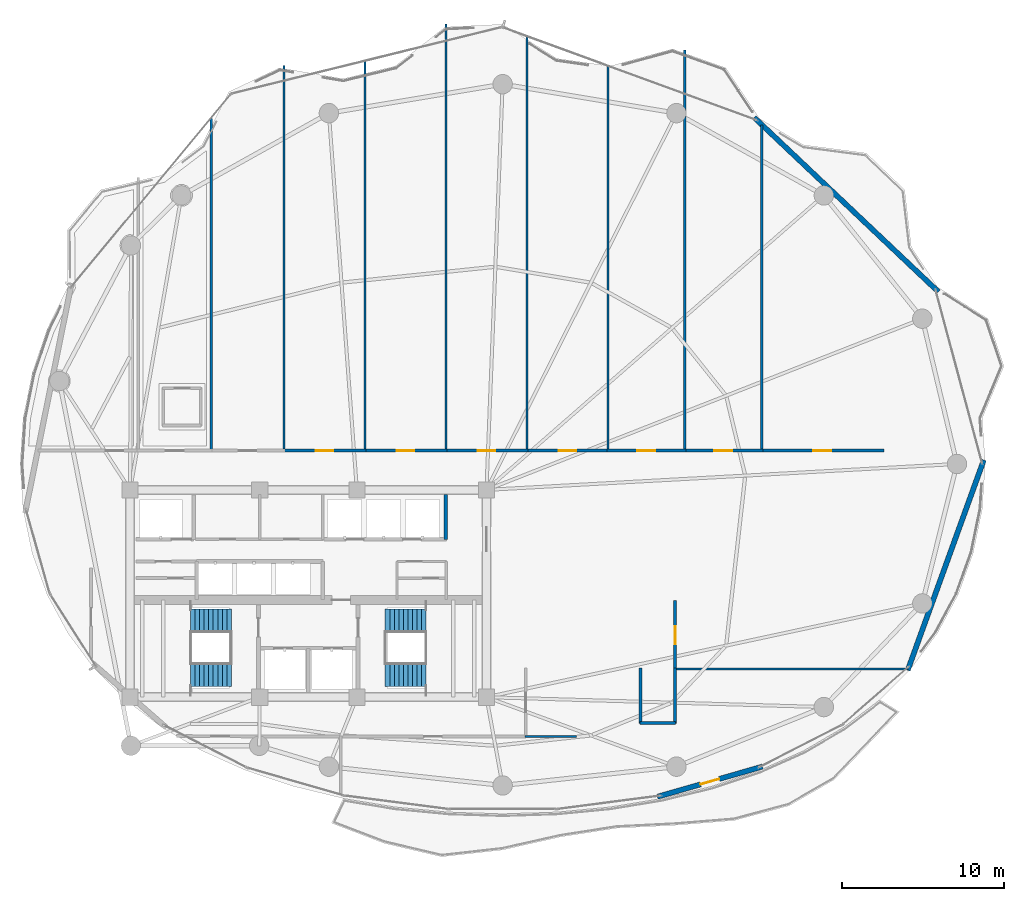
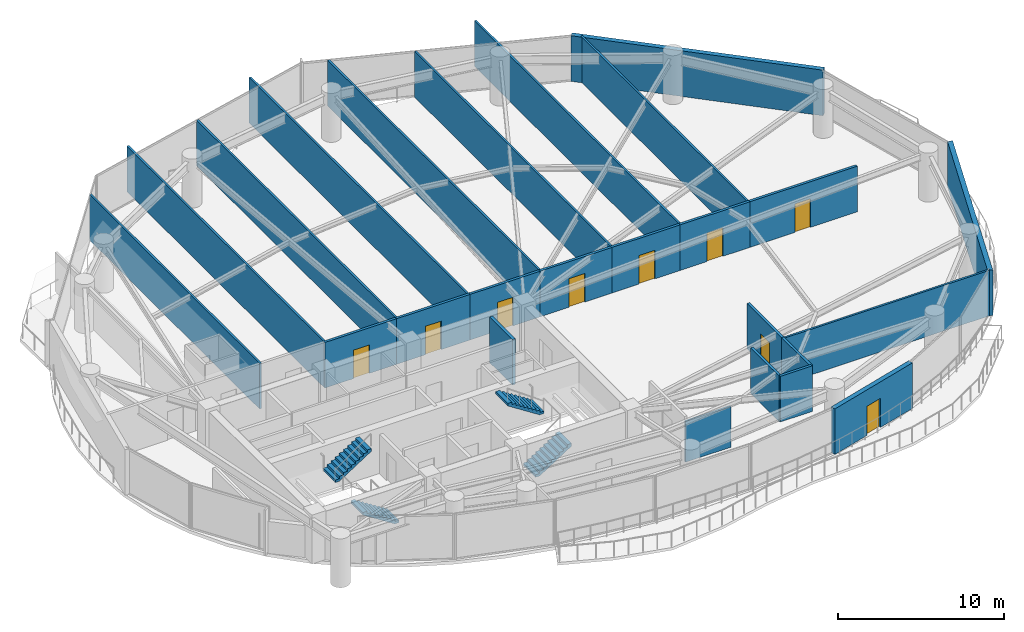
# One storey, part 24 of 28: 25 walls, 9 doors, 4 stair flights, 9 openings, 2 elements without a shape of their own.
"""IFC4 building model written with IfcOpenShell, lengths in metres."""

from ifc_helpers import new_model, si_unit, direction, frame, frame_2d, origin, place, context, subcontext, project, spatial, polyline, rectangle, outline, extrude, material, layer, layer_set, type_object, element, fill, aggregate, save


model = new_model("IFC4")

# Units and contexts
model_context = context("Model", 3, precision=1e-05, world=origin(), true_north=direction((0.0, 1.0)))
body_context = subcontext(model_context, "Body", "Model", "MODEL_VIEW")
ifc_project = project(units=[si_unit("LENGTHUNIT", "METRE"), si_unit("AREAUNIT", "SQUARE_METRE"), si_unit("VOLUMEUNIT", "CUBIC_METRE"), si_unit("PLANEANGLEUNIT", "RADIAN"), si_unit("MASSUNIT", "GRAM", prefix="KILO")], contexts=[model_context])

# Site, building, storey
site_placement = place(None, origin())
site = spatial("IfcSite", under=ifc_project, at=site_placement, CompositionType="ELEMENT")
building_placement = place(site_placement, origin())
building = spatial("IfcBuilding", under=site, at=building_placement, Name="Kazevale Care Tower and Concert Hall", CompositionType="ELEMENT")
storey_placement = place(building_placement, frame((0.0, 0.0, 135.0)))
storey = spatial("IfcBuildingStorey", under=building, at=storey_placement, Name="L35", CompositionType="ELEMENT", Elevation=135.0)

# Walls
ifc_material_1 = material(Name="Acoustic Gypsum on Steel Stud", Category="steel")
ifc_layer_1 = layer(ifc_material_1, 0.139892578125)
ifc_layer_set_1 = layer_set([ifc_layer_1], Name="Acoustic Gypsum on Steel Stud")
wall_type_1 = type_object("IfcWallType", Name="Acoustic Care & Suite Partition 140", PredefinedType="PARTITIONING", material=ifc_layer_set_1)
wall_1_placement = place(storey_placement, frame((27.0, 59.34521484375, 0.0), z_axis=(0.0, 0.0, 1.0), x_axis=(0.0, -1.0, 0.0)))
element("IfcWall", 1, at=wall_1_placement, inside=storey, type_object=wall_type_1, Name="wall:L35:auto_020", PredefinedType="PARTITIONING", context=body_context, shape_type="SweptSolid", body=[
    extrude(rectangle(XDim=20.55029296875, YDim=0.139892578125, at=frame_2d((10.275146484375, 0.0))), origin(), (0.0, 0.0, 1.0), 3.360107421875),
])
wall_2_placement = place(storey_placement, frame((31.5, 62.611083984375, 0.0), z_axis=(0.0, 0.0, 1.0), x_axis=(0.0, -1.0, 0.0)))
element("IfcWall", 2, at=wall_2_placement, inside=storey, type_object=wall_type_1, Name="wall:L35:auto_021", PredefinedType="PARTITIONING", context=body_context, shape_type="SweptSolid", body=[
    extrude(rectangle(XDim=23.816162109375, YDim=0.139892578125, at=frame_2d((11.908203125, 0.0))), origin(), (0.0, 0.0, 1.0), 3.360107421875),
])
wall_3_placement = place(storey_placement, frame((36.5, 62.8759765625, 0.0), z_axis=(0.0, 0.0, 1.0), x_axis=(0.0, -1.0, 0.0)))
element("IfcWall", 3, at=wall_3_placement, inside=storey, type_object=wall_type_1, Name="wall:L35:auto_022", PredefinedType="PARTITIONING", context=body_context, shape_type="SweptSolid", body=[
    extrude(rectangle(XDim=24.0810546875, YDim=0.139892578125, at=frame_2d((12.04052734375, 0.0))), origin(), (0.0, 0.0, 1.0), 3.360107421875),
])
wall_4_placement = place(storey_placement, frame((41.5, 65.174072265625, 0.0), z_axis=(0.0, 0.0, 1.0), x_axis=(0.0, -1.0, 0.0)))
element("IfcWall", 4, at=wall_4_placement, inside=storey, type_object=wall_type_1, Name="wall:L35:auto_023", PredefinedType="PARTITIONING", context=body_context, shape_type="SweptSolid", body=[
    extrude(rectangle(XDim=26.379150390625, YDim=0.139892578125, at=frame_2d((13.189453125, 0.0))), origin(), (0.0, 0.0, 1.0), 3.360107421875),
])
wall_5_placement = place(storey_placement, frame((46.5, 64.368896484375, 0.0), z_axis=(0.0, 0.0, 1.0), x_axis=(0.0, -1.0, 0.0)))
element("IfcWall", 5, at=wall_5_placement, inside=storey, type_object=wall_type_1, Name="wall:L35:auto_024", PredefinedType="PARTITIONING", context=body_context, shape_type="SweptSolid", body=[
    extrude(rectangle(XDim=25.573974609375, YDim=0.139892578125, at=frame_2d((12.787109375, 0.0))), origin(), (0.0, 0.0, 1.0), 3.360107421875),
])
wall_6_placement = place(storey_placement, frame((51.5, 62.56494140625, 0.0), z_axis=(0.0, 0.0, 1.0), x_axis=(0.0, -1.0, 0.0)))
element("IfcWall", 6, at=wall_6_placement, inside=storey, type_object=wall_type_1, Name="wall:L35:auto_025", PredefinedType="PARTITIONING", context=body_context, shape_type="SweptSolid", body=[
    extrude(rectangle(XDim=23.77001953125, YDim=0.139892578125, at=frame_2d((11.885009765625, 0.0))), origin(), (0.0, 0.0, 1.0), 3.360107421875),
])
wall_7_placement = place(storey_placement, frame((56.25, 63.544921875, 0.0), z_axis=(0.0, 0.0, 1.0), x_axis=(0.0, -1.0, 0.0)))
element("IfcWall", 7, at=wall_7_placement, inside=storey, type_object=wall_type_1, Name="wall:L35:auto_026", PredefinedType="PARTITIONING", context=body_context, shape_type="SweptSolid", body=[
    extrude(rectangle(XDim=24.75, YDim=0.139892578125, at=frame_2d((12.375, 0.0))), origin(), (0.0, 0.0, 1.0), 3.360107421875),
])
wall_8_placement = place(storey_placement, frame((61.0, 58.935791015625, 0.0), z_axis=(0.0, 0.0, 1.0), x_axis=(0.0, -1.0, 0.0)))
element("IfcWall", 8, at=wall_8_placement, inside=storey, type_object=wall_type_1, Name="wall:L35:auto_027", PredefinedType="PARTITIONING", context=body_context, shape_type="SweptSolid", body=[
    extrude(rectangle(XDim=20.140869140625, YDim=0.139892578125, at=frame_2d((10.0703125, 0.0))), origin(), (0.0, 0.0, 1.0), 3.360107421875),
])
wall_9_placement = place(storey_placement, frame((55.6201171875, 25.340087890625, 0.0), z_axis=(0.0, 0.0, 1.0), x_axis=(1.0, 0.0, 0.0)))
element("IfcWall", 9, at=wall_9_placement, inside=storey, type_object=wall_type_1, Name="wall:L35:auto_028", PredefinedType="PARTITIONING", context=body_context, shape_type="SweptSolid", body=[
    extrude(rectangle(XDim=14.407470703125, YDim=0.139892578125, at=frame_2d((7.20361328125, 0.0))), origin(), (0.0, 0.0, 1.0), 3.360107421875),
])
wall_10_placement = place(storey_placement, frame((49.56494140625, 21.175048828125, 0.0), z_axis=(0.0, 0.0, 1.0), x_axis=(-1.0, 0.0, 0.0)))
element("IfcWall", 10, at=wall_10_placement, inside=storey, type_object=wall_type_1, Name="wall:L35:auto_029", PredefinedType="PARTITIONING", context=body_context, shape_type="SweptSolid", body=[
    extrude(rectangle(XDim=3.169921875, YDim=0.139892578125, at=frame_2d((1.5849609375, 0.0))), origin(), (0.0, 0.0, 1.0), 2.99609375),
])
ifc_material_2 = material(Name="Concrete C40", Category="concrete")
ifc_layer_2 = layer(ifc_material_2, 0.219970703125)
ifc_layer_set_2 = layer_set([ifc_layer_2], Name="Concrete C40")
wall_type_2 = type_object("IfcWallType", Name="Elevator Hoistway Shaft Wall 220", PredefinedType="SOLIDWALL", material=ifc_layer_set_2)
wall_11_placement = place(storey_placement, frame((41.5, 33.35009765625, 0.0), z_axis=(0.0, 0.0, 1.0), x_axis=(0.0, 1.0, 0.0)))
element("IfcWall", 11, at=wall_11_placement, inside=storey, type_object=wall_type_2, Name="wall:L35:c_pm_e", PredefinedType="SOLIDWALL", context=body_context, shape_type="SweptSolid", body=[
    extrude(rectangle(XDim=2.75, YDim=0.219970703125, at=frame_2d((1.375, 0.0))), origin(), (0.0, 0.0, 1.0), 3.360107421875),
])

# Wall, opening, door
ifc_material_3 = material(Name="Concrete C40 and Acoustic Gypsum", Category="concrete")
ifc_layer_3 = layer(ifc_material_3, 0.179931640625)
ifc_layer_set_3 = layer_set([ifc_layer_3], Name="Concrete C40 and Acoustic Gypsum")
wall_type_3 = type_object("IfcWallType", Name="Fire-Rated Corridor & Party Wall 180", PredefinedType="PARTITIONING", material=ifc_layer_set_3)
wall_12_placement = place(storey_placement, frame((31.43505859375, 38.824951171875, 0.0), z_axis=(0.0, 0.0, 1.0), x_axis=(1.0, 0.0, 0.0)))
wall_12 = element("IfcWall", 12, at=wall_12_placement, inside=storey, type_object=wall_type_3, Name="wall:L35:auto_004", PredefinedType="PARTITIONING", context=body_context, shape_type="SweptSolid", body=[
    extrude(rectangle(XDim=5.1298828125, YDim=0.179931640625, at=frame_2d((2.56494140625, 0.0))), origin(), (0.0, 0.0, 1.0), 3.360107421875),
])
opening_1_placement = place(wall_12_placement, frame((2.014892578125, 0.0, 0.0)))
opening_1 = element("IfcOpeningElement", 13, at=opening_1_placement, cuts=wall_12, Name="Opening ID-1100", PredefinedType="OPENING", context=body_context, shape_type="SweptSolid", body=[
    extrude(rectangle(XDim=1.10009765625, YDim=2.10009765625, at=frame_2d((0.550048828125, 1.050048828125))), frame((0.0, 0.099853515625, 0.0), z_axis=(0.0, -1.0, 0.0), x_axis=(1.0, 0.0, 0.0)), (0.0, 0.0, 1.0), 0.199951171875),
])
ifc_material_4 = material(Name="Oak Timber Fire Leaf", Category="wood")
door_type_1 = type_object("IfcDoorType", Name="Care Bedroom Accessible Door 1100x2100", OperationType="NOTDEFINED", PredefinedType="DOOR", material=ifc_material_4)
door_1_placement = place(opening_1_placement, origin())
door_1 = element("IfcDoor", 14, at=door_1_placement, inside=storey, type_object=door_type_1, Name="door:L35:ad_004", OperationType="SINGLE_SWING_LEFT", OverallHeight=2.10009765625, OverallWidth=1.10009765625, PredefinedType="DOOR", context=body_context, shape_type="SweptSolid", body=[
    extrude(rectangle(XDim=1.10009765625, YDim=2.10009765625, at=frame_2d((0.550048828125, 1.050048828125))), frame((0.0, 0.02490234375, 0.0), z_axis=(0.0, -1.0, 0.0), x_axis=(1.0, 0.0, 0.0)), (0.0, 0.0, 1.0), 0.050048828125),
])
fill(opening_1, door_1)

wall_13_placement = place(storey_placement, frame((36.43505859375, 38.824951171875, 0.0), z_axis=(0.0, 0.0, 1.0), x_axis=(1.0, 0.0, 0.0)))
wall_13 = element("IfcWall", 15, at=wall_13_placement, inside=storey, type_object=wall_type_3, Name="wall:L35:auto_005", PredefinedType="PARTITIONING", context=body_context, shape_type="SweptSolid", body=[
    extrude(rectangle(XDim=5.1298828125, YDim=0.179931640625, at=frame_2d((2.56494140625, 0.0))), origin(), (0.0, 0.0, 1.0), 3.360107421875),
])
opening_2_placement = place(wall_13_placement, frame((2.014892578125, 0.0, 0.0)))
opening_2 = element("IfcOpeningElement", 16, at=opening_2_placement, cuts=wall_13, Name="Opening ID-1100", PredefinedType="OPENING", context=body_context, shape_type="SweptSolid", body=[
    extrude(rectangle(XDim=1.10009765625, YDim=2.10009765625, at=frame_2d((0.550048828125, 1.050048828125))), frame((0.0, 0.099853515625, 0.0), z_axis=(0.0, -1.0, 0.0), x_axis=(1.0, 0.0, 0.0)), (0.0, 0.0, 1.0), 0.199951171875),
])
door_2_placement = place(opening_2_placement, origin())
door_2 = element("IfcDoor", 17, at=door_2_placement, inside=storey, type_object=door_type_1, Name="door:L35:ad_005", OperationType="SINGLE_SWING_LEFT", OverallHeight=2.10009765625, OverallWidth=1.10009765625, PredefinedType="DOOR", context=body_context, shape_type="SweptSolid", body=[
    extrude(rectangle(XDim=1.10009765625, YDim=2.10009765625, at=frame_2d((0.550048828125, 1.050048828125))), frame((0.0, 0.02490234375, 0.0), z_axis=(0.0, -1.0, 0.0), x_axis=(1.0, 0.0, 0.0)), (0.0, 0.0, 1.0), 0.050048828125),
])
fill(opening_2, door_2)

wall_14_placement = place(storey_placement, frame((41.43505859375, 38.824951171875, 0.0), z_axis=(0.0, 0.0, 1.0), x_axis=(1.0, 0.0, 0.0)))
wall_14 = element("IfcWall", 18, at=wall_14_placement, inside=storey, type_object=wall_type_3, Name="wall:L35:auto_006", PredefinedType="PARTITIONING", context=body_context, shape_type="SweptSolid", body=[
    extrude(rectangle(XDim=5.1298828125, YDim=0.179931640625, at=frame_2d((2.56494140625, 0.0))), origin(), (0.0, 0.0, 1.0), 3.360107421875),
])
opening_3_placement = place(wall_14_placement, frame((2.014892578125, 0.0, 0.0)))
opening_3 = element("IfcOpeningElement", 19, at=opening_3_placement, cuts=wall_14, Name="Opening ID-1100", PredefinedType="OPENING", context=body_context, shape_type="SweptSolid", body=[
    extrude(rectangle(XDim=1.10009765625, YDim=2.10009765625, at=frame_2d((0.550048828125, 1.050048828125))), frame((0.0, 0.099853515625, 0.0), z_axis=(0.0, -1.0, 0.0), x_axis=(1.0, 0.0, 0.0)), (0.0, 0.0, 1.0), 0.199951171875),
])
door_3_placement = place(opening_3_placement, origin())
door_3 = element("IfcDoor", 20, at=door_3_placement, inside=storey, type_object=door_type_1, Name="door:L35:ad_006", OperationType="SINGLE_SWING_LEFT", OverallHeight=2.10009765625, OverallWidth=1.10009765625, PredefinedType="DOOR", context=body_context, shape_type="SweptSolid", body=[
    extrude(rectangle(XDim=1.10009765625, YDim=2.10009765625, at=frame_2d((0.550048828125, 1.050048828125))), frame((0.0, 0.02490234375, 0.0), z_axis=(0.0, -1.0, 0.0), x_axis=(1.0, 0.0, 0.0)), (0.0, 0.0, 1.0), 0.050048828125),
])
fill(opening_3, door_3)

wall_15_placement = place(storey_placement, frame((46.43505859375, 38.824951171875, 0.0), z_axis=(0.0, 0.0, 1.0), x_axis=(1.0, 0.0, 0.0)))
wall_15 = element("IfcWall", 21, at=wall_15_placement, inside=storey, type_object=wall_type_3, Name="wall:L35:auto_007", PredefinedType="PARTITIONING", context=body_context, shape_type="SweptSolid", body=[
    extrude(rectangle(XDim=5.1298828125, YDim=0.179931640625, at=frame_2d((2.56494140625, 0.0))), origin(), (0.0, 0.0, 1.0), 3.360107421875),
])
opening_4_placement = place(wall_15_placement, frame((2.014892578125, 0.0, 0.0)))
opening_4 = element("IfcOpeningElement", 22, at=opening_4_placement, cuts=wall_15, Name="Opening ID-1100", PredefinedType="OPENING", context=body_context, shape_type="SweptSolid", body=[
    extrude(rectangle(XDim=1.10009765625, YDim=2.10009765625, at=frame_2d((0.550048828125, 1.050048828125))), frame((0.0, 0.099853515625, 0.0), z_axis=(0.0, -1.0, 0.0), x_axis=(1.0, 0.0, 0.0)), (0.0, 0.0, 1.0), 0.199951171875),
])
door_4_placement = place(opening_4_placement, origin())
door_4 = element("IfcDoor", 23, at=door_4_placement, inside=storey, type_object=door_type_1, Name="door:L35:ad_007", OperationType="SINGLE_SWING_LEFT", OverallHeight=2.10009765625, OverallWidth=1.10009765625, PredefinedType="DOOR", context=body_context, shape_type="SweptSolid", body=[
    extrude(rectangle(XDim=1.10009765625, YDim=2.10009765625, at=frame_2d((0.550048828125, 1.050048828125))), frame((0.0, 0.02490234375, 0.0), z_axis=(0.0, -1.0, 0.0), x_axis=(1.0, 0.0, 0.0)), (0.0, 0.0, 1.0), 0.050048828125),
])
fill(opening_4, door_4)

wall_16_placement = place(storey_placement, frame((51.43505859375, 38.824951171875, 0.0), z_axis=(0.0, 0.0, 1.0), x_axis=(1.0, 0.0, 0.0)))
wall_16 = element("IfcWall", 24, at=wall_16_placement, inside=storey, type_object=wall_type_3, Name="wall:L35:auto_008", PredefinedType="PARTITIONING", context=body_context, shape_type="SweptSolid", body=[
    extrude(rectangle(XDim=4.8798828125, YDim=0.179931640625, at=frame_2d((2.43994140625, 0.0))), origin(), (0.0, 0.0, 1.0), 3.360107421875),
])
opening_5_placement = place(wall_16_placement, frame((1.889892578125, 0.0, 0.0)))
opening_5 = element("IfcOpeningElement", 25, at=opening_5_placement, cuts=wall_16, Name="Opening ID-1100", PredefinedType="OPENING", context=body_context, shape_type="SweptSolid", body=[
    extrude(rectangle(XDim=1.10009765625, YDim=2.10009765625, at=frame_2d((0.550048828125, 1.050048828125))), frame((0.0, 0.099853515625, 0.0), z_axis=(0.0, -1.0, 0.0), x_axis=(1.0, 0.0, 0.0)), (0.0, 0.0, 1.0), 0.199951171875),
])
door_5_placement = place(opening_5_placement, origin())
door_5 = element("IfcDoor", 26, at=door_5_placement, inside=storey, type_object=door_type_1, Name="door:L35:ad_008", OperationType="SINGLE_SWING_LEFT", OverallHeight=2.10009765625, OverallWidth=1.10009765625, PredefinedType="DOOR", context=body_context, shape_type="SweptSolid", body=[
    extrude(rectangle(XDim=1.10009765625, YDim=2.10009765625, at=frame_2d((0.550048828125, 1.050048828125))), frame((0.0, 0.02490234375, 0.0), z_axis=(0.0, -1.0, 0.0), x_axis=(1.0, 0.0, 0.0)), (0.0, 0.0, 1.0), 0.050048828125),
])
fill(opening_5, door_5)

wall_17_placement = place(storey_placement, frame((56.18505859375, 38.824951171875, 0.0), z_axis=(0.0, 0.0, 1.0), x_axis=(1.0, 0.0, 0.0)))
wall_17 = element("IfcWall", 27, at=wall_17_placement, inside=storey, type_object=wall_type_3, Name="wall:L35:auto_009", PredefinedType="PARTITIONING", context=body_context, shape_type="SweptSolid", body=[
    extrude(rectangle(XDim=4.8798828125, YDim=0.179931640625, at=frame_2d((2.43994140625, 0.0))), origin(), (0.0, 0.0, 1.0), 3.360107421875),
])
opening_6_placement = place(wall_17_placement, frame((1.889892578125, 0.0, 0.0)))
opening_6 = element("IfcOpeningElement", 28, at=opening_6_placement, cuts=wall_17, Name="Opening ID-1100", PredefinedType="OPENING", context=body_context, shape_type="SweptSolid", body=[
    extrude(rectangle(XDim=1.10009765625, YDim=2.10009765625, at=frame_2d((0.550048828125, 1.050048828125))), frame((0.0, 0.099853515625, 0.0), z_axis=(0.0, -1.0, 0.0), x_axis=(1.0, 0.0, 0.0)), (0.0, 0.0, 1.0), 0.199951171875),
])
door_6_placement = place(opening_6_placement, origin())
door_6 = element("IfcDoor", 29, at=door_6_placement, inside=storey, type_object=door_type_1, Name="door:L35:ad_009", OperationType="SINGLE_SWING_LEFT", OverallHeight=2.10009765625, OverallWidth=1.10009765625, PredefinedType="DOOR", context=body_context, shape_type="SweptSolid", body=[
    extrude(rectangle(XDim=1.10009765625, YDim=2.10009765625, at=frame_2d((0.550048828125, 1.050048828125))), frame((0.0, 0.02490234375, 0.0), z_axis=(0.0, -1.0, 0.0), x_axis=(1.0, 0.0, 0.0)), (0.0, 0.0, 1.0), 0.050048828125),
])
fill(opening_6, door_6)

wall_18_placement = place(storey_placement, frame((60.93505859375, 38.824951171875, 0.0), z_axis=(0.0, 0.0, 1.0), x_axis=(1.0, 0.0, 0.0)))
wall_18 = element("IfcWall", 30, at=wall_18_placement, inside=storey, type_object=wall_type_3, Name="wall:L35:auto_010", PredefinedType="PARTITIONING", context=body_context, shape_type="SweptSolid", body=[
    extrude(rectangle(XDim=7.594970703125, YDim=0.179931640625, at=frame_2d((3.79736328125, 0.0))), origin(), (0.0, 0.0, 1.0), 3.360107421875),
])
opening_7_placement = place(wall_18_placement, frame((3.2470703125, 0.0, 0.0)))
opening_7 = element("IfcOpeningElement", 31, at=opening_7_placement, cuts=wall_18, Name="Opening ID-1100", PredefinedType="OPENING", context=body_context, shape_type="SweptSolid", body=[
    extrude(rectangle(XDim=1.10009765625, YDim=2.10009765625, at=frame_2d((0.550048828125, 1.050048828125))), frame((0.0, 0.099853515625, 0.0), z_axis=(0.0, -1.0, 0.0), x_axis=(1.0, 0.0, 0.0)), (0.0, 0.0, 1.0), 0.199951171875),
])
door_7_placement = place(opening_7_placement, origin())
door_7 = element("IfcDoor", 32, at=door_7_placement, inside=storey, type_object=door_type_1, Name="door:L35:ad_010", OperationType="SINGLE_SWING_LEFT", OverallHeight=2.10009765625, OverallWidth=1.10009765625, PredefinedType="DOOR", context=body_context, shape_type="SweptSolid", body=[
    extrude(rectangle(XDim=1.10009765625, YDim=2.10009765625, at=frame_2d((0.550048828125, 1.050048828125))), frame((0.0, 0.02490234375, 0.0), z_axis=(0.0, -1.0, 0.0), x_axis=(1.0, 0.0, 0.0)), (0.0, 0.0, 1.0), 0.050048828125),
])
fill(opening_7, door_7)

# Walls
for number, where, z_axis, x_axis, name in (
    (33, (55.64990234375, 25.405029296875, 0.0), (0.0, 0.0, 1.0), (0.0, -1.0, 0.0), "wall:L35:auto_012"),
    (34, (53.5, 21.969970703125, 0.0), (0.0, 0.0, 1.0), (0.0, 1.0, 0.0), "wall:L35:auto_013"),
):
    element("IfcWall", number, at=place(storey_placement, frame(where, z_axis=z_axis, x_axis=x_axis)), inside=storey, type_object=wall_type_3, Name=name, PredefinedType="PARTITIONING", context=body_context, shape_type="SweptSolid", body=[
        extrude(rectangle(XDim=3.43505859375, YDim=0.179931640625, at=frame_2d((1.717529296875, 0.0))), origin(), (0.0, 0.0, 1.0), 3.360107421875),
    ])
wall_19_placement = place(storey_placement, frame((55.679931640625, 22.0, 0.0), z_axis=(0.0, 0.0, 1.0), x_axis=(-1.0, 0.0, 0.0)))
element("IfcWall", 35, at=wall_19_placement, inside=storey, type_object=wall_type_3, Name="wall:L35:auto_014", PredefinedType="PARTITIONING", context=body_context, shape_type="SweptSolid", body=[
    extrude(rectangle(XDim=2.2099609375, YDim=0.179931640625, at=frame_2d((1.10498046875, 0.0))), origin(), (0.0, 0.0, 1.0), 3.360107421875),
])

# Wall, opening, door
wall_20_placement = place(storey_placement, frame((55.64990234375, 29.56494140625, 0.0), z_axis=(0.0, 0.0, 1.0), x_axis=(0.0, -1.0, 0.0)))
wall_20 = element("IfcWall", 36, at=wall_20_placement, inside=storey, type_object=wall_type_3, Name="wall:L35:auto_015", PredefinedType="PARTITIONING", context=body_context, shape_type="SweptSolid", body=[
    extrude(rectangle(XDim=4.2900390625, YDim=0.179931640625, at=frame_2d((2.14501953125, 0.0))), origin(), (0.0, 0.0, 1.0), 3.360107421875),
])
opening_8_placement = place(wall_20_placement, frame((1.594970703125, 0.0, 0.0)))
opening_8 = element("IfcOpeningElement", 37, at=opening_8_placement, cuts=wall_20, Name="Opening ID-1100", PredefinedType="OPENING", context=body_context, shape_type="SweptSolid", body=[
    extrude(rectangle(XDim=1.10009765625, YDim=2.10009765625, at=frame_2d((0.550048828125, 1.050048828125))), frame((0.0, 0.099853515625, 0.0), z_axis=(0.0, -1.0, 0.0), x_axis=(1.0, 0.0, 0.0)), (0.0, 0.0, 1.0), 0.199951171875),
])
door_8_placement = place(opening_8_placement, origin())
door_8 = element("IfcDoor", 38, at=door_8_placement, inside=storey, type_object=door_type_1, Name="door:L35:ad_015", OperationType="SINGLE_SWING_LEFT", OverallHeight=2.10009765625, OverallWidth=1.10009765625, PredefinedType="DOOR", context=body_context, shape_type="SweptSolid", body=[
    extrude(rectangle(XDim=1.10009765625, YDim=2.10009765625, at=frame_2d((0.550048828125, 1.050048828125))), frame((0.0, 0.02490234375, 0.0), z_axis=(0.0, -1.0, 0.0), x_axis=(1.0, 0.0, 0.0)), (0.0, 0.0, 1.0), 0.050048828125),
])
fill(opening_8, door_8)

# Wall
ifc_material_5 = material(Name="Concrete C40 with Honed Limestone Cladding", Category="masonry")
ifc_layer_4 = layer(ifc_material_5, 0.320068359375)
ifc_layer_set_4 = layer_set([ifc_layer_4], Name="Concrete C40 with Honed Limestone Cladding")
wall_type_4 = type_object("IfcWallType", Name="Tower Honed Limestone Spandrel Wall 320", PredefinedType="STANDARD", material=ifc_layer_set_4)
wall_21_placement = place(storey_placement, frame((74.7080078125, 38.243896484375, 0.0), z_axis=(0.0, 0.0, 1.0), x_axis=(-0.340324669139, -0.94030799187, 0.0)))
element("IfcWall", 39, at=wall_21_placement, inside=storey, type_object=wall_type_4, Name="wall:cw:L35:f01", PredefinedType="STANDARD", context=body_context, shape_type="SweptSolid", body=[
    extrude(rectangle(XDim=13.810302734375, YDim=0.320068359375, at=frame_2d((6.9052734375, 0.0))), origin(), (0.0, 0.0, 1.0), 3.360107421875),
])

# Wall, opening, door
wall_22_placement = place(storey_placement, frame((61.0390625, 19.31689453125, 0.0), z_axis=(0.0, 0.0, 1.0), x_axis=(-0.96106509915, -0.276322049784, 0.0)))
wall_22 = element("IfcWall", 40, at=wall_22_placement, inside=storey, type_object=wall_type_4, Name="wall:L35:bal_host", PredefinedType="STANDARD", context=body_context, shape_type="SweptSolid", body=[
    extrude(rectangle(XDim=6.745849609375, YDim=0.320068359375, at=frame_2d((3.373046875, 0.0))), origin(), (0.0, 0.0, 1.0), 3.360107421875),
])
opening_9_placement = place(wall_22_placement, frame((2.77294921875, 0.0, 0.0)))
opening_9 = element("IfcOpeningElement", 41, at=opening_9_placement, cuts=wall_22, Name="Opening BD-1200", PredefinedType="OPENING", context=body_context, shape_type="SweptSolid", body=[
    extrude(rectangle(XDim=1.199951171875, YDim=2.14990234375, at=frame_2d((0.60009765625, 1.074951171875))), frame((0.0, 0.169921875, 0.0), z_axis=(0.0, -1.0, 0.0), x_axis=(1.0, 0.0, 0.0)), (0.0, 0.0, 1.0), 0.340087890625),
])
ifc_material_6 = material(Name="Aluminium 6063-T6 and Low-E Glass", Category="aluminium")
door_type_2 = type_object("IfcDoorType", Name="Sheltered Balcony Glazed Door 1200x2150", OperationType="NOTDEFINED", PredefinedType="DOOR", material=ifc_material_6)
door_9_placement = place(opening_9_placement, origin())
door_9 = element("IfcDoor", 42, at=door_9_placement, inside=storey, type_object=door_type_2, Name="door:L35:BD-1", OperationType="SINGLE_SWING_LEFT", OverallHeight=2.14990234375, OverallWidth=1.199951171875, PredefinedType="DOOR", context=body_context, shape_type="SweptSolid", body=[
    extrude(rectangle(XDim=1.199951171875, YDim=2.14990234375, at=frame_2d((0.60009765625, 1.074951171875))), frame((0.0, 0.02490234375, 0.0), z_axis=(0.0, -1.0, 0.0), x_axis=(1.0, 0.0, 0.0)), (0.0, 0.0, 1.0), 0.050048828125),
])
fill(opening_9, door_9)

# Wall
wall_23_placement = place(storey_placement, frame((60.5380859375, 59.383056640625, 0.0), z_axis=(0.0, 0.0, 1.0), x_axis=(0.726378346584, -0.687295058628, 0.0)))
element("IfcWall", 43, at=wall_23_placement, inside=storey, type_object=wall_type_4, Name="wall:cw:L35:f17", PredefinedType="STANDARD", context=body_context, shape_type="SweptSolid", body=[
    extrude(rectangle(XDim=15.654052734375, YDim=0.320068359375, at=frame_2d((7.8271484375, 0.0))), origin(), (0.0, 0.0, 1.0), 3.360107421875),
])

# Stair, stair flights
stair_type = type_object("IfcStairType", Name="Exit Stair Assembly ST1-Z2", PredefinedType="HALF_TURN_STAIR", material=ifc_material_2)
stair_1_placement = place(storey_placement, origin())
stair_1 = element("IfcStair", 44, at=stair_1_placement, inside=storey, type_object=stair_type, Name="stair:L35:ST1", PredefinedType="HALF_TURN_STAIR")
ifc_layer_5 = layer(ifc_material_2, 0.159912109375)
ifc_layer_set_5 = layer_set([ifc_layer_5], Name="Concrete C40")
stair_flight_type = type_object("IfcStairFlightType", Name="Exit Stair Flight ST1-Z2", PredefinedType="STRAIGHT", material=ifc_layer_set_5)
stair_flight_1_placement = place(storey_placement, frame((28.25, 24.97998046875, 0.0), z_axis=(0.0, 0.0, 1.0), x_axis=(-1.0, 0.0, 0.0)))
stair_flight_1 = element("IfcStairFlight", 45, at=stair_flight_1_placement, type_object=stair_flight_type, Name="ST1-Z2 flight 1", NumberOfRisers=10, NumberOfTreads=9, PredefinedType="STRAIGHT", RiserHeight=0.18, TreadLength=0.28, context=body_context, shape_type="SweptSolid", body=[
    extrude(outline(polyline([(0.0, 0.0), (0.0, 0.179931640625), (0.280029296875, 0.179931640625), (0.280029296875, 0.360107421875), (0.56005859375, 0.360107421875), (0.56005859375, 0.5400390625), (0.840087890625, 0.5400390625), (0.840087890625, 0.719970703125), (1.1201171875, 0.719970703125), (1.1201171875, 0.89990234375), (1.39990234375, 0.89990234375), (1.39990234375, 1.080078125), (1.679931640625, 1.080078125), (1.679931640625, 1.260009765625), (1.9599609375, 1.260009765625), (1.9599609375, 1.43994140625), (2.239990234375, 1.43994140625), (2.239990234375, 1.6201171875), (2.52001953125, 1.6201171875), (2.52001953125, 1.800048828125), (2.52001953125, 1.429931640625), (0.295654296875, 0.0), (0.0, 0.0)])), frame((0.0, 0.72998046875, 0.0), z_axis=(0.0, -1.0, 0.0), x_axis=(1.0, 0.0, 0.0)), (0.0, 0.0, 1.0), 1.4599609375),
])
stair_flight_2_placement = place(storey_placement, frame((25.72998046875, 28.320068359375, 1.800048828125), z_axis=(0.0, 0.0, 1.0), x_axis=(1.0, 0.0, 0.0)))
stair_flight_2 = element("IfcStairFlight", 46, at=stair_flight_2_placement, type_object=stair_flight_type, Name="ST1-Z2 flight 2", NumberOfRisers=10, NumberOfTreads=9, PredefinedType="STRAIGHT", RiserHeight=0.18, TreadLength=0.28, context=body_context, shape_type="SweptSolid", body=[
    extrude(outline(polyline([(0.0, 0.0), (0.0, 0.179931640625), (0.280029296875, 0.179931640625), (0.280029296875, 0.360107421875), (0.56005859375, 0.360107421875), (0.56005859375, 0.5400390625), (0.840087890625, 0.5400390625), (0.840087890625, 0.719970703125), (1.1201171875, 0.719970703125), (1.1201171875, 0.89990234375), (1.39990234375, 0.89990234375), (1.39990234375, 1.080078125), (1.679931640625, 1.080078125), (1.679931640625, 1.260009765625), (1.9599609375, 1.260009765625), (1.9599609375, 1.43994140625), (2.239990234375, 1.43994140625), (2.239990234375, 1.6201171875), (2.52001953125, 1.6201171875), (2.52001953125, 1.800048828125), (2.52001953125, 1.429931640625), (0.295654296875, 0.0), (0.0, 0.0)])), frame((0.0, 0.72998046875, 0.0), z_axis=(0.0, -1.0, 0.0), x_axis=(1.0, 0.0, 0.0)), (0.0, 0.0, 1.0), 1.4599609375),
])
aggregate(stair_1, [stair_flight_1, stair_flight_2])

stair_2_placement = place(storey_placement, origin())
stair_2 = element("IfcStair", 47, at=stair_2_placement, inside=storey, type_object=stair_type, Name="stair:L35:ST2", PredefinedType="HALF_TURN_STAIR")
stair_flight_3_placement = place(storey_placement, frame((37.75, 24.97998046875, 0.0), z_axis=(0.0, 0.0, 1.0), x_axis=(1.0, 0.0, 0.0)))
stair_flight_3 = element("IfcStairFlight", 48, at=stair_flight_3_placement, type_object=stair_flight_type, Name="ST1-Z2 flight 1", NumberOfRisers=10, NumberOfTreads=9, PredefinedType="STRAIGHT", RiserHeight=0.18, TreadLength=0.28, context=body_context, shape_type="SweptSolid", body=[
    extrude(outline(polyline([(0.0, 0.0), (0.0, 0.179931640625), (0.280029296875, 0.179931640625), (0.280029296875, 0.360107421875), (0.56005859375, 0.360107421875), (0.56005859375, 0.5400390625), (0.840087890625, 0.5400390625), (0.840087890625, 0.719970703125), (1.1201171875, 0.719970703125), (1.1201171875, 0.89990234375), (1.39990234375, 0.89990234375), (1.39990234375, 1.080078125), (1.679931640625, 1.080078125), (1.679931640625, 1.260009765625), (1.9599609375, 1.260009765625), (1.9599609375, 1.43994140625), (2.239990234375, 1.43994140625), (2.239990234375, 1.6201171875), (2.52001953125, 1.6201171875), (2.52001953125, 1.800048828125), (2.52001953125, 1.429931640625), (0.295654296875, 0.0), (0.0, 0.0)])), frame((0.0, 0.72998046875, 0.0), z_axis=(0.0, -1.0, 0.0), x_axis=(1.0, 0.0, 0.0)), (0.0, 0.0, 1.0), 1.4599609375),
])
stair_flight_4_placement = place(storey_placement, frame((40.27001953125, 28.320068359375, 1.800048828125), z_axis=(0.0, 0.0, 1.0), x_axis=(-1.0, 0.0, 0.0)))
stair_flight_4 = element("IfcStairFlight", 49, at=stair_flight_4_placement, type_object=stair_flight_type, Name="ST1-Z2 flight 2", NumberOfRisers=10, NumberOfTreads=9, PredefinedType="STRAIGHT", RiserHeight=0.18, TreadLength=0.28, context=body_context, shape_type="SweptSolid", body=[
    extrude(outline(polyline([(0.0, 0.0), (0.0, 0.179931640625), (0.280029296875, 0.179931640625), (0.280029296875, 0.360107421875), (0.56005859375, 0.360107421875), (0.56005859375, 0.5400390625), (0.840087890625, 0.5400390625), (0.840087890625, 0.719970703125), (1.1201171875, 0.719970703125), (1.1201171875, 0.89990234375), (1.39990234375, 0.89990234375), (1.39990234375, 1.080078125), (1.679931640625, 1.080078125), (1.679931640625, 1.260009765625), (1.9599609375, 1.260009765625), (1.9599609375, 1.43994140625), (2.239990234375, 1.43994140625), (2.239990234375, 1.6201171875), (2.52001953125, 1.6201171875), (2.52001953125, 1.800048828125), (2.52001953125, 1.429931640625), (0.295654296875, 0.0), (0.0, 0.0)])), frame((0.0, 0.72998046875, 0.0), z_axis=(0.0, -1.0, 0.0), x_axis=(1.0, 0.0, 0.0)), (0.0, 0.0, 1.0), 1.4599609375),
])
aggregate(stair_2, [stair_flight_3, stair_flight_4])

save(model, "model.ifc")
